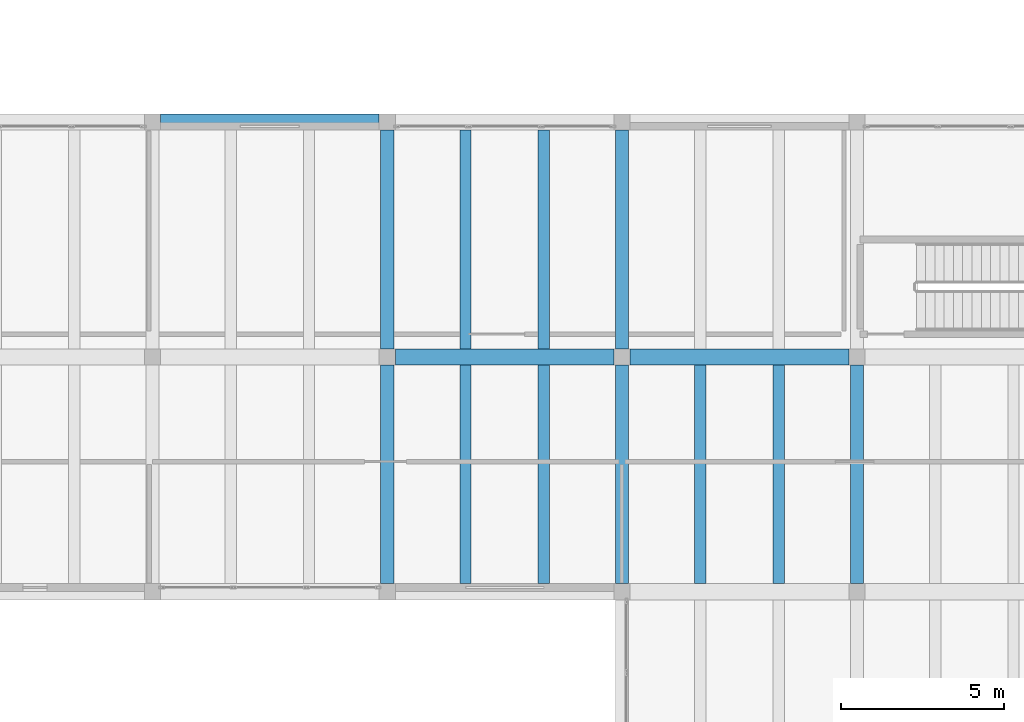
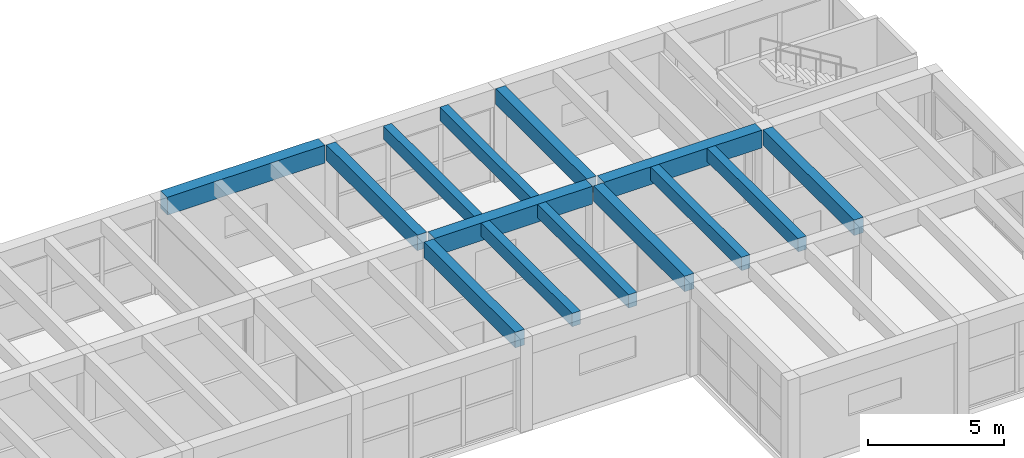
# One storey, part 110 of 153: 14 beams.
"""IFC4 building model written with IfcOpenShell, lengths in metres."""

from ifc_helpers import new_model, si_unit, direction, frame, origin, origin_2d, place, context, subcontext, project, spatial, rectangle, extrude, material, material_profile, profile_set, type_object, element, save


model = new_model("IFC4")

# Units and contexts
model_context = context("Model", 3, precision=1e-05, world=origin(), true_north=direction((0.0, 1.0)))
body_context = subcontext(model_context, "Body", "Model", "MODEL_VIEW")
ifc_project = project(units=[si_unit("LENGTHUNIT", "METRE"), si_unit("AREAUNIT", "SQUARE_METRE"), si_unit("VOLUMEUNIT", "CUBIC_METRE"), si_unit("PLANEANGLEUNIT", "RADIAN"), si_unit("MASSUNIT", "GRAM", prefix="KILO")], contexts=[model_context])

# Site, building, storey
site_placement = place(None, origin())
site = spatial("IfcSite", under=ifc_project, at=site_placement, CompositionType="ELEMENT")
building_placement = place(site_placement, origin())
building = spatial("IfcBuilding", under=site, at=building_placement, Name="Bramvelor Terrace Health Centre", CompositionType="ELEMENT")
storey_placement = place(building_placement, frame((0.0, 0.0, 4.800048828125)))
storey = spatial("IfcBuildingStorey", under=building, at=storey_placement, Name="L02", CompositionType="ELEMENT", Elevation=4.800048828125)

# Beams
ifc_material_1 = material(Name="Concrete C40/50", Category="concrete")
ifc_material_profile_1 = material_profile(ifc_material_1, rectangle(XDim=0.39990234375, YDim=0.699951171875, at=origin_2d()), Name="RC 400x700")
ifc_profile_set_1 = profile_set([ifc_material_profile_1], Name="Concrete C40/50")
beam_type_1 = type_object("IfcBeamType", Name="BM-RC-G700", PredefinedType="BEAM", material=ifc_profile_set_1)
beam_1_placement = place(storey_placement, frame((144.0, 50.64990234375, 3.849853515625), z_axis=(0.0, 1.0, 0.0), x_axis=(-1.0, 0.0, 0.0)))
element("IfcBeam", 1, at=beam_1_placement, inside=storey, type_object=beam_type_1, Name="L02 Floor Girder", PredefinedType="BEAM", context=body_context, shape_type="SweptSolid", body=[
    extrude(rectangle(XDim=0.39990234375, YDim=0.699951171875, at=origin_2d()), origin(), (0.0, 0.0, 1.0), 6.7001953125),
])
beam_2_placement = place(storey_placement, frame((144.0, 57.85009765625, 3.849853515625), z_axis=(0.0, 1.0, 0.0), x_axis=(-1.0, 0.0, 0.0)))
element("IfcBeam", 2, at=beam_2_placement, inside=storey, type_object=beam_type_1, Name="L02 Floor Girder", PredefinedType="BEAM", context=body_context, shape_type="SweptSolid", body=[
    extrude(rectangle(XDim=0.39990234375, YDim=0.699951171875, at=origin_2d()), origin(), (0.0, 0.0, 1.0), 6.699951171875),
])
beam_3_placement = place(storey_placement, frame((151.199951171875, 50.64990234375, 3.849853515625), z_axis=(0.0, 1.0, 0.0), x_axis=(-1.0, 0.0, 0.0)))
element("IfcBeam", 3, at=beam_3_placement, inside=storey, type_object=beam_type_1, Name="L02 Floor Girder", PredefinedType="BEAM", context=body_context, shape_type="SweptSolid", body=[
    extrude(rectangle(XDim=0.39990234375, YDim=0.699951171875, at=origin_2d()), origin(), (0.0, 0.0, 1.0), 6.7001953125),
])
beam_4_placement = place(storey_placement, frame((151.199951171875, 57.85009765625, 3.849853515625), z_axis=(0.0, 1.0, 0.0), x_axis=(-1.0, 0.0, 0.0)))
element("IfcBeam", 4, at=beam_4_placement, inside=storey, type_object=beam_type_1, Name="L02 Floor Girder", PredefinedType="BEAM", context=body_context, shape_type="SweptSolid", body=[
    extrude(rectangle(XDim=0.39990234375, YDim=0.699951171875, at=origin_2d()), origin(), (0.0, 0.0, 1.0), 6.699951171875),
])
beam_5_placement = place(storey_placement, frame((158.39990234375, 50.64990234375, 3.849853515625), z_axis=(0.0, 1.0, 0.0), x_axis=(-1.0, 0.0, 0.0)))
element("IfcBeam", 5, at=beam_5_placement, inside=storey, type_object=beam_type_1, Name="L02 Floor Girder", PredefinedType="BEAM", context=body_context, shape_type="SweptSolid", body=[
    extrude(rectangle(XDim=0.39990234375, YDim=0.699951171875, at=origin_2d()), origin(), (0.0, 0.0, 1.0), 6.7001953125),
])
ifc_material_2 = material(Name="Concrete C40/50", Category="concrete")
ifc_material_profile_2 = material_profile(ifc_material_2, rectangle(XDim=0.5, YDim=0.800048828125, at=origin_2d()), Name="RC 500x800")
ifc_profile_set_2 = profile_set([ifc_material_profile_2], Name="Concrete C40/50")
beam_type_2 = type_object("IfcBeamType", Name="BM-RC-G800", PredefinedType="BEAM", material=ifc_profile_set_2)
for number, where, z_axis, x_axis, name in (
    (6, (137.050048828125, 64.800048828125, 3.800048828125), (1.0, 0.0, 0.0), (0.0, 1.0, 0.0), "L02 Floor Girder"),
    (7, (144.25, 57.60009765625, 3.800048828125), (1.0, 0.0, 0.0), (0.0, 1.0, 0.0), "L02 Floor Girder"),
    (8, (151.449951171875, 57.60009765625, 3.800048828125), (1.0, 0.0, 0.0), (0.0, 1.0, 0.0), "L02 Floor Girder"),
):
    element("IfcBeam", number, at=place(storey_placement, frame(where, z_axis=z_axis, x_axis=x_axis)), inside=storey, type_object=beam_type_2, Name=name, PredefinedType="BEAM", context=body_context, shape_type="SweptSolid", body=[
        extrude(rectangle(XDim=0.5, YDim=0.800048828125, at=origin_2d()), origin(), (0.0, 0.0, 1.0), 6.699951171875),
    ])
ifc_material_3 = material(Name="Concrete C40/50", Category="concrete")
ifc_material_profile_3 = material_profile(ifc_material_3, rectangle(XDim=0.35009765625, YDim=0.60009765625, at=origin_2d()), Name="RC 350x600")
ifc_profile_set_3 = profile_set([ifc_material_profile_3], Name="Concrete C40/50")
beam_type_3 = type_object("IfcBeamType", Name="BM-RC-J600", PredefinedType="JOIST", material=ifc_profile_set_3)
for number, where, z_axis, x_axis, name in (
    (9, (146.39990234375, 50.64990234375, 3.89990234375), (0.0, 1.0, 0.0), (-1.0, 0.0, 0.0), "L02 Secondary Floor Joist"),
    (10, (148.800048828125, 50.64990234375, 3.89990234375), (0.0, 1.0, 0.0), (-1.0, 0.0, 0.0), "L02 Secondary Floor Joist"),
):
    element("IfcBeam", number, at=place(storey_placement, frame(where, z_axis=z_axis, x_axis=x_axis)), inside=storey, type_object=beam_type_3, Name=name, PredefinedType="JOIST", context=body_context, shape_type="SweptSolid", body=[
        extrude(rectangle(XDim=0.35009765625, YDim=0.60009765625, at=origin_2d()), origin(), (0.0, 0.0, 1.0), 6.7001953125),
    ])
for number, where, z_axis, x_axis, name in (
    (11, (146.39990234375, 57.85009765625, 3.89990234375), (0.0, 1.0, 0.0), (-1.0, 0.0, 0.0), "L02 Secondary Floor Joist"),
    (12, (148.800048828125, 57.85009765625, 3.89990234375), (0.0, 1.0, 0.0), (-1.0, 0.0, 0.0), "L02 Secondary Floor Joist"),
):
    element("IfcBeam", number, at=place(storey_placement, frame(where, z_axis=z_axis, x_axis=x_axis)), inside=storey, type_object=beam_type_3, Name=name, PredefinedType="JOIST", context=body_context, shape_type="SweptSolid", body=[
        extrude(rectangle(XDim=0.35009765625, YDim=0.60009765625, at=origin_2d()), origin(), (0.0, 0.0, 1.0), 6.699951171875),
    ])
for number, where, z_axis, x_axis, name in (
    (13, (153.60009765625, 50.64990234375, 3.89990234375), (0.0, 1.0, 0.0), (-1.0, 0.0, 0.0), "L02 Secondary Floor Joist"),
    (14, (156.0, 50.64990234375, 3.89990234375), (0.0, 1.0, 0.0), (-1.0, 0.0, 0.0), "L02 Secondary Floor Joist"),
):
    element("IfcBeam", number, at=place(storey_placement, frame(where, z_axis=z_axis, x_axis=x_axis)), inside=storey, type_object=beam_type_3, Name=name, PredefinedType="JOIST", context=body_context, shape_type="SweptSolid", body=[
        extrude(rectangle(XDim=0.35009765625, YDim=0.60009765625, at=origin_2d()), origin(), (0.0, 0.0, 1.0), 6.7001953125),
    ])

save(model, "model.ifc")
